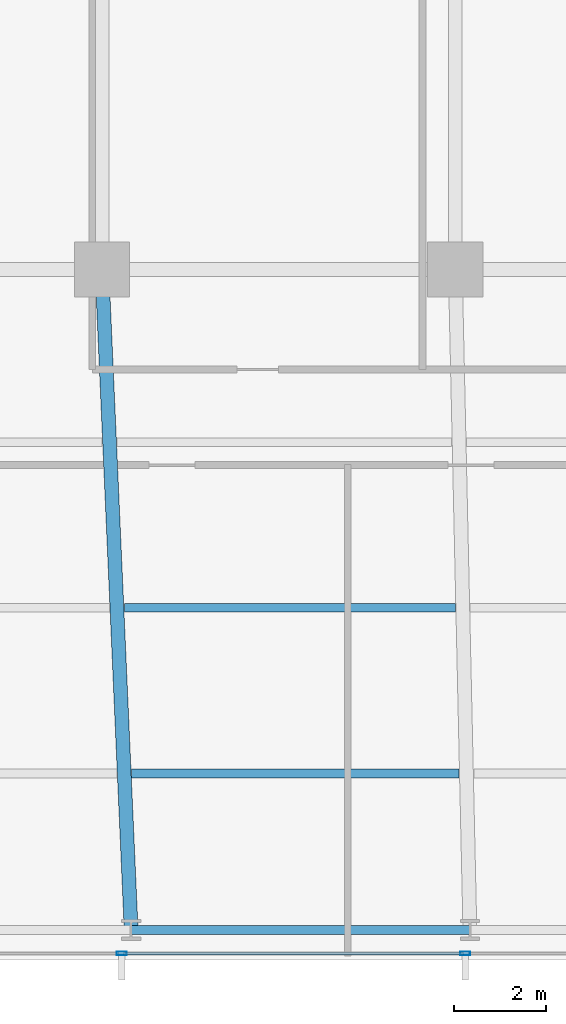
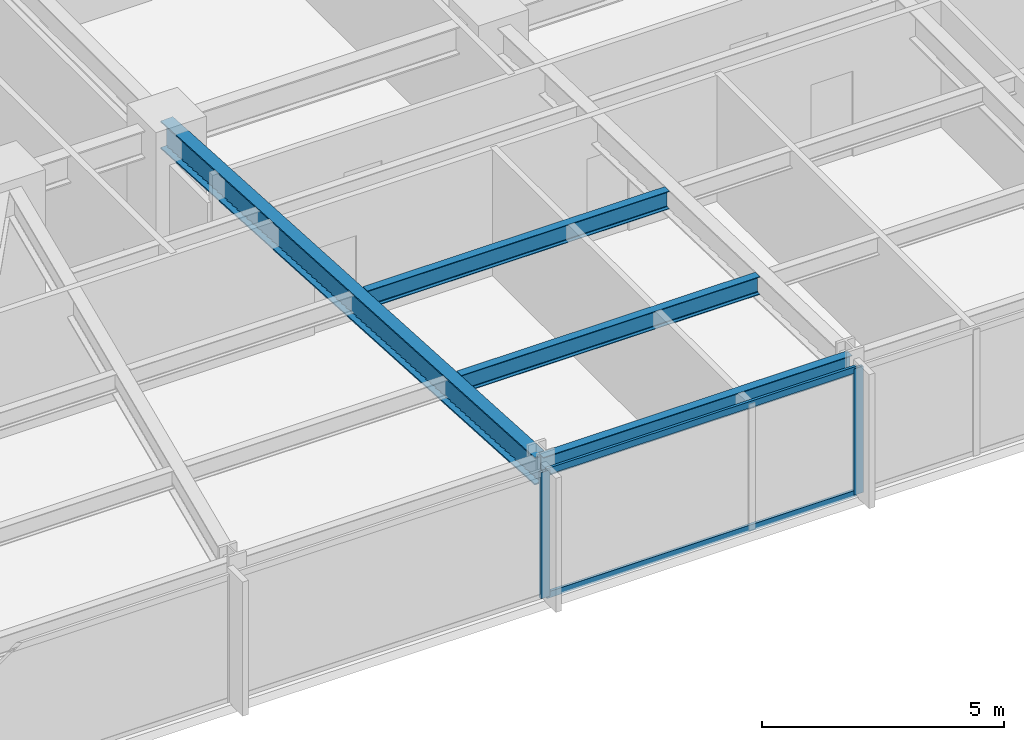
# One storey, part 5 of 32: 4 beams, 4 members, 1 element without a shape of its own.
"""IFC4 building model written with IfcOpenShell, lengths in metres."""

from ifc_helpers import new_model, si_unit, direction, frame, origin, origin_2d, place, context, subcontext, project, spatial, hollow_rectangle, i_section, extrude, material, material_profile, profile_set, type_object, element, aggregate, save


model = new_model("IFC4")

# Units and contexts
model_context = context("Model", 3, precision=1e-05, world=origin(), true_north=direction((0.0, 1.0)))
body_context = subcontext(model_context, "Body", "Model", "MODEL_VIEW")
ifc_project = project(units=[si_unit("LENGTHUNIT", "METRE"), si_unit("AREAUNIT", "SQUARE_METRE"), si_unit("VOLUMEUNIT", "CUBIC_METRE"), si_unit("PLANEANGLEUNIT", "RADIAN"), si_unit("MASSUNIT", "GRAM", prefix="KILO")], contexts=[model_context])

# Site, building, storey
site_placement = place(None, origin())
site = spatial("IfcSite", under=ifc_project, at=site_placement, CompositionType="ELEMENT")
building_placement = place(site_placement, origin())
building = spatial("IfcBuilding", under=site, at=building_placement, Name="Yelkora Congress Tower", CompositionType="ELEMENT")
storey_placement = place(building_placement, frame((0.0, 0.0, 40.60009765625)))
storey = spatial("IfcBuildingStorey", under=building, at=storey_placement, Name="L09", CompositionType="ELEMENT", Elevation=40.60009765625)

# Beams
ifc_material_1 = material(Name="Steel S355J2", Category="steel")
ifc_material_profile_1 = material_profile(ifc_material_1, i_section(OverallWidth=0.300048828125, OverallDepth=0.699951171875, WebThickness=0.01708984375, FlangeThickness=0.031982421875, FilletRadius=0.027099609375, at=origin_2d()), Name="HEB 700")
ifc_profile_set_1 = profile_set([ifc_material_profile_1], Name="Steel S355J2")
beam_type_1 = type_object("IfcBeamType", Name="BM-GIRD-HEB700", PredefinedType="BEAM", material=ifc_profile_set_1)
beam_1_placement = place(storey_placement, frame((23.675048828125, 10.85009765625, 2.829833984375), z_axis=(-0.044208738849, 0.999022315771, 0.0), x_axis=(-0.999022315771, -0.044208738849, 0.0)))
element("IfcBeam", 1, at=beam_1_placement, inside=storey, type_object=beam_type_1, Name="L09 Primary Frame Girder S03", PredefinedType="BEAM", context=body_context, shape_type="SweptSolid", body=[
    extrude(i_section(OverallWidth=0.300048828125, OverallDepth=0.699951171875, WebThickness=0.01708984375, FlangeThickness=0.031982421875, FilletRadius=0.027099609375, at=origin_2d()), origin(), (0.0, 0.0, 1.0), 14.364013671875),
])
ifc_material_profile_2 = material_profile(ifc_material_1, i_section(OverallWidth=0.18994140625, OverallDepth=0.449951171875, WebThickness=0.009521484375, FlangeThickness=0.0146484375, FilletRadius=0.02099609375, at=origin_2d()), Name="IPE 450")
ifc_profile_set_2 = profile_set([ifc_material_profile_2], Name="Steel S355J2")
beam_type_2 = type_object("IfcBeamType", Name="BM-JOIST-IPE450", PredefinedType="JOIST", material=ifc_profile_set_2)
beam_2_placement = place(storey_placement, frame((23.6845703125, 14.25, 2.954833984375), z_axis=(1.0, 0.0, 0.0), x_axis=(0.0, 1.0, 0.0)))
element("IfcBeam", 2, at=beam_2_placement, inside=storey, type_object=beam_type_2, Name="L09 Composite Floor Joist 3", PredefinedType="JOIST", context=body_context, shape_type="SweptSolid", body=[
    extrude(i_section(OverallWidth=0.18994140625, OverallDepth=0.449951171875, WebThickness=0.009521484375, FlangeThickness=0.0146484375, FilletRadius=0.02099609375, at=origin_2d()), origin(), (0.0, 0.0, 1.0), 7.11767578125),
])
beam_3_placement = place(storey_placement, frame((23.525146484375, 17.85009765625, 2.954833984375), z_axis=(1.0, 0.0, 0.0), x_axis=(0.0, 1.0, 0.0)))
element("IfcBeam", 3, at=beam_3_placement, inside=storey, type_object=beam_type_2, Name="L09 Composite Floor Joist 11", PredefinedType="JOIST", context=body_context, shape_type="SweptSolid", body=[
    extrude(i_section(OverallWidth=0.18994140625, OverallDepth=0.449951171875, WebThickness=0.009521484375, FlangeThickness=0.0146484375, FilletRadius=0.02099609375, at=origin_2d()), origin(), (0.0, 0.0, 1.0), 7.197509765625),
])
ifc_material_profile_3 = material_profile(ifc_material_1, i_section(OverallWidth=0.199951171875, OverallDepth=0.5, WebThickness=0.01025390625, FlangeThickness=0.01611328125, FilletRadius=0.02099609375, at=origin_2d()), Name="IPE 500")
ifc_profile_set_3 = profile_set([ifc_material_profile_3], Name="Steel S355J2")
beam_type_3 = type_object("IfcBeamType", Name="BM-SPAN-IPE500", PredefinedType="SPANDREL", material=ifc_profile_set_3)
beam_4_placement = place(storey_placement, frame((23.675048828125, 10.85009765625, 2.929931640625), z_axis=(1.0, 0.0, 0.0), x_axis=(0.0, 1.0, 0.0)))
element("IfcBeam", 4, at=beam_4_placement, inside=storey, type_object=beam_type_3, Name="L09 Perimeter Beam 4", PredefinedType="SPANDREL", context=body_context, shape_type="SweptSolid", body=[
    extrude(i_section(OverallWidth=0.199951171875, OverallDepth=0.5, WebThickness=0.01025390625, FlangeThickness=0.01611328125, FilletRadius=0.02099609375, at=origin_2d()), origin(), (0.0, 0.0, 1.0), 7.362548828125),
])

# Curtain wall, members
ifc_material_2 = material(Name="Anodised aluminium and insulated glass", Category="aluminium")
curtain_wall_type = type_object("IfcCurtainWallType", Name="CW-SYS-B1", PredefinedType="NOTDEFINED", material=ifc_material_2)
curtain_wall_placement = place(storey_placement, origin())
curtain_wall = element("IfcCurtainWall", 5, at=curtain_wall_placement, inside=storey, type_object=curtain_wall_type, Name="L09 Unitised Curtain Wall 20", PredefinedType="NOTDEFINED")
ifc_material_3 = material(Name="Anodised aluminium 6063-T6", Category="aluminium")
ifc_material_profile_4 = material_profile(ifc_material_3, hollow_rectangle(XDim=0.074951171875, YDim=0.219970703125, WallThickness=0.0048828125, at=origin_2d()), Name="ALU 75x220x5")
ifc_profile_set_4 = profile_set([ifc_material_profile_4], Name="Anodised aluminium 6063-T6")
member_type_1 = type_object("IfcMemberType", Name="MEM-ML-B1", PredefinedType="MULLION", material=ifc_profile_set_4)
member_1_placement = place(storey_placement, frame((30.93505859375, 10.340087890625, 0.0), z_axis=(0.0, 0.0, 1.0), x_axis=(0.0, -1.0, 0.0)))
member_1 = element("IfcMember", 6, at=member_1_placement, type_object=member_type_1, Name="CW-B1 mullion 6", PredefinedType="MULLION", context=body_context, shape_type="SweptSolid", body=[
    extrude(hollow_rectangle(XDim=0.074951171875, YDim=0.219970703125, WallThickness=0.0048828125, at=origin_2d()), origin(), (0.0, 0.0, 1.0), 3.179931640625),
])
member_2_placement = place(storey_placement, frame((23.469970703125, 10.340087890625, 0.0), z_axis=(0.0, 0.0, 1.0), x_axis=(0.0, -1.0, 0.0)))
member_2 = element("IfcMember", 7, at=member_2_placement, type_object=member_type_1, Name="CW-B1 mullion 7", PredefinedType="MULLION", context=body_context, shape_type="SweptSolid", body=[
    extrude(hollow_rectangle(XDim=0.074951171875, YDim=0.219970703125, WallThickness=0.0048828125, at=origin_2d()), origin(), (0.0, 0.0, 1.0), 3.179931640625),
])
ifc_material_profile_5 = material_profile(ifc_material_3, hollow_rectangle(XDim=0.06494140625, YDim=0.159912109375, WallThickness=0.00390625, at=origin_2d()), Name="ALU 65x160x4")
ifc_profile_set_5 = profile_set([ifc_material_profile_5], Name="Anodised aluminium 6063-T6")
member_type_2 = type_object("IfcMemberType", Name="MEM-TR-B1", PredefinedType="USERDEFINED", material=ifc_profile_set_5)
member_3_placement = place(storey_placement, frame((30.8974609375, 10.340087890625, 0.032470703125), z_axis=(-1.0, 0.0, 0.0), x_axis=(0.0, -1.0, 0.0)))
member_3 = element("IfcMember", 8, at=member_3_placement, type_object=member_type_2, Name="CW-B1 transom 6.1", ObjectType="TRANSOM", PredefinedType="USERDEFINED", context=body_context, shape_type="SweptSolid", body=[
    extrude(hollow_rectangle(XDim=0.06494140625, YDim=0.159912109375, WallThickness=0.00390625, at=origin_2d()), origin(), (0.0, 0.0, 1.0), 7.389892578125),
])
member_4_placement = place(storey_placement, frame((30.8974609375, 10.340087890625, 3.1474609375), z_axis=(-1.0, 0.0, 0.0), x_axis=(0.0, -1.0, 0.0)))
member_4 = element("IfcMember", 9, at=member_4_placement, type_object=member_type_2, Name="CW-B1 transom 6.2", ObjectType="TRANSOM", PredefinedType="USERDEFINED", context=body_context, shape_type="SweptSolid", body=[
    extrude(hollow_rectangle(XDim=0.06494140625, YDim=0.159912109375, WallThickness=0.00390625, at=origin_2d()), origin(), (0.0, 0.0, 1.0), 7.389892578125),
])
aggregate(curtain_wall, [member_1, member_2, member_3, member_4])

save(model, "model.ifc")
